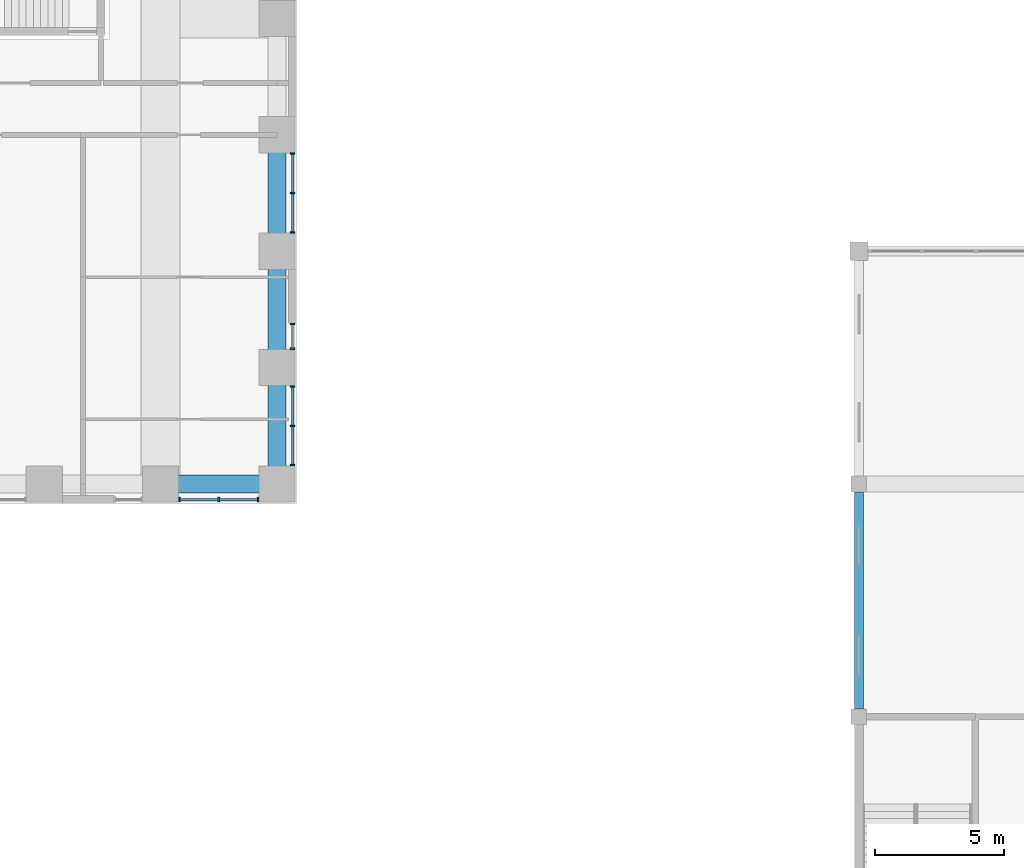
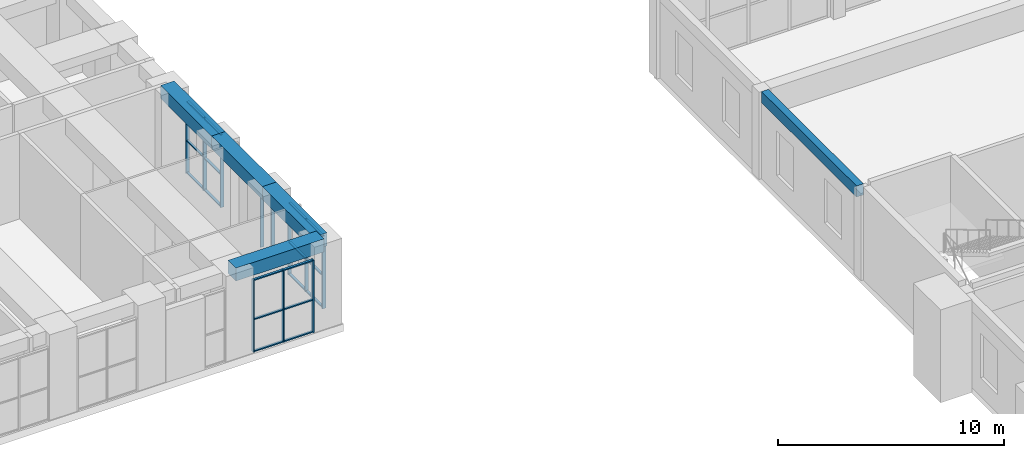
# One storey, part 8 of 34: 29 members, 5 beams, 4 elements without a shape of their own.
"""IFC4 building model written with IfcOpenShell, lengths in metres."""

from ifc_helpers import new_model, si_unit, direction, frame, origin, origin_2d, place, context, subcontext, project, spatial, rectangle, extrude, material, material_profile, profile_set, type_object, element, aggregate, save


model = new_model("IFC4")

# Units and contexts
model_context = context("Model", 3, precision=1e-05, world=origin(), true_north=direction((0.0, 1.0)))
body_context = subcontext(model_context, "Body", "Model", "MODEL_VIEW")
ifc_project = project(units=[si_unit("LENGTHUNIT", "METRE"), si_unit("AREAUNIT", "SQUARE_METRE"), si_unit("VOLUMEUNIT", "CUBIC_METRE"), si_unit("PLANEANGLEUNIT", "RADIAN"), si_unit("MASSUNIT", "GRAM", prefix="KILO")], contexts=[model_context])

# Site, building, storey
site_placement = place(None, origin())
site = spatial("IfcSite", under=ifc_project, at=site_placement, CompositionType="ELEMENT")
building_placement = place(site_placement, origin())
building = spatial("IfcBuilding", under=site, at=building_placement, Name="Firuza Court", CompositionType="ELEMENT")
storey_placement = place(building_placement, frame((0.0, 0.0, 14.0)))
storey = spatial("IfcBuildingStorey", under=building, at=storey_placement, Name="L02", CompositionType="ELEMENT", Elevation=14.0)

# Curtain wall, members
ifc_material_1 = material(Name="Aluminium curtain wall, triple clear glazing", Category="aluminium")
curtain_wall_type = type_object("IfcCurtainWallType", Name="Podium unitised curtain wall CW1", PredefinedType="NOTDEFINED", material=ifc_material_1)
curtain_wall_1_placement = place(storey_placement, origin())
curtain_wall_1 = element("IfcCurtainWall", 1, at=curtain_wall_1_placement, inside=storey, type_object=curtain_wall_type, Name="Podium unitised curtain wall CW1 L02", PredefinedType="NOTDEFINED")
ifc_material_2 = material(Name="Aluminium EN AW-6060 T66", Category="aluminium")
ifc_material_profile_1 = material_profile(ifc_material_2, rectangle(XDim=0.179931640625, YDim=0.06005859375, at=origin_2d()), Name="Mullion 180 x 60 CW1")
ifc_profile_set_1 = profile_set([ifc_material_profile_1], Name="Aluminium EN AW-6060 T66")
member_type_1 = type_object("IfcMemberType", Name="Mullion 180 x 60 CW1", PredefinedType="MULLION", material=ifc_profile_set_1)
member_1_placement = place(storey_placement, frame((63.72998046875, 35.39990234375, 0.0), z_axis=(0.0, 0.0, 1.0), x_axis=(0.0, 1.0, 0.0)))
member_1 = element("IfcMember", 2, at=member_1_placement, type_object=member_type_1, Name="CW1 mullion 1", PredefinedType="MULLION", context=body_context, shape_type="SweptSolid", body=[
    extrude(rectangle(XDim=0.179931640625, YDim=0.06005859375, at=origin_2d()), origin(), (0.0, 0.0, 1.0), 3.89990234375),
])
member_2_placement = place(storey_placement, frame((65.25, 35.39990234375, 0.0), z_axis=(0.0, 0.0, 1.0), x_axis=(0.0, 1.0, 0.0)))
member_2 = element("IfcMember", 3, at=member_2_placement, type_object=member_type_1, Name="CW1 mullion 2", PredefinedType="MULLION", context=body_context, shape_type="SweptSolid", body=[
    extrude(rectangle(XDim=0.179931640625, YDim=0.06005859375, at=origin_2d()), origin(), (0.0, 0.0, 1.0), 3.89990234375),
])
member_3_placement = place(storey_placement, frame((66.77001953125, 35.39990234375, 0.0), z_axis=(0.0, 0.0, 1.0), x_axis=(0.0, 1.0, 0.0)))
member_3 = element("IfcMember", 4, at=member_3_placement, type_object=member_type_1, Name="CW1 mullion 3", PredefinedType="MULLION", context=body_context, shape_type="SweptSolid", body=[
    extrude(rectangle(XDim=0.179931640625, YDim=0.06005859375, at=origin_2d()), origin(), (0.0, 0.0, 1.0), 3.89990234375),
])

curtain_wall_2_placement = place(storey_placement, origin())
curtain_wall_2 = element("IfcCurtainWall", 5, at=curtain_wall_2_placement, inside=storey, type_object=curtain_wall_type, Name="Podium unitised curtain wall CW1 L02", PredefinedType="NOTDEFINED")
member_4_placement = place(storey_placement, frame((68.10009765625, 36.72998046875, 0.0), z_axis=(0.0, 0.0, 1.0), x_axis=(-1.0, 0.0, 0.0)))
member_4 = element("IfcMember", 6, at=member_4_placement, type_object=member_type_1, Name="CW1 mullion 1", PredefinedType="MULLION", context=body_context, shape_type="SweptSolid", body=[
    extrude(rectangle(XDim=0.179931640625, YDim=0.06005859375, at=origin_2d()), origin(), (0.0, 0.0, 1.0), 3.89990234375),
])
member_5_placement = place(storey_placement, frame((68.10009765625, 38.25, 0.0), z_axis=(0.0, 0.0, 1.0), x_axis=(-1.0, 0.0, 0.0)))
member_5 = element("IfcMember", 7, at=member_5_placement, type_object=member_type_1, Name="CW1 mullion 2", PredefinedType="MULLION", context=body_context, shape_type="SweptSolid", body=[
    extrude(rectangle(XDim=0.179931640625, YDim=0.06005859375, at=origin_2d()), origin(), (0.0, 0.0, 1.0), 3.89990234375),
])
member_6_placement = place(storey_placement, frame((68.10009765625, 39.77001953125, 0.0), z_axis=(0.0, 0.0, 1.0), x_axis=(-1.0, 0.0, 0.0)))
member_6 = element("IfcMember", 8, at=member_6_placement, type_object=member_type_1, Name="CW1 mullion 3", PredefinedType="MULLION", context=body_context, shape_type="SweptSolid", body=[
    extrude(rectangle(XDim=0.179931640625, YDim=0.06005859375, at=origin_2d()), origin(), (0.0, 0.0, 1.0), 3.89990234375),
])

curtain_wall_3_placement = place(storey_placement, origin())
curtain_wall_3 = element("IfcCurtainWall", 9, at=curtain_wall_3_placement, inside=storey, type_object=curtain_wall_type, Name="Podium unitised curtain wall CW1 L02", PredefinedType="NOTDEFINED")
member_7_placement = place(storey_placement, frame((68.10009765625, 41.22998046875, 0.0), z_axis=(0.0, 0.0, 1.0), x_axis=(-1.0, 0.0, 0.0)))
member_7 = element("IfcMember", 10, at=member_7_placement, type_object=member_type_1, Name="CW1 mullion 1", PredefinedType="MULLION", context=body_context, shape_type="SweptSolid", body=[
    extrude(rectangle(XDim=0.179931640625, YDim=0.06005859375, at=origin_2d()), origin(), (0.0, 0.0, 1.0), 3.89990234375),
])
member_8_placement = place(storey_placement, frame((68.10009765625, 42.193603515625, 0.0), z_axis=(0.0, 0.0, 1.0), x_axis=(-1.0, 0.0, 0.0)))
member_8 = element("IfcMember", 11, at=member_8_placement, type_object=member_type_1, Name="CW1 mullion 2", PredefinedType="MULLION", context=body_context, shape_type="SweptSolid", body=[
    extrude(rectangle(XDim=0.179931640625, YDim=0.06005859375, at=origin_2d()), origin(), (0.0, 0.0, 1.0), 3.89990234375),
])
aggregate(curtain_wall_3, [member_7, member_8])

curtain_wall_4_placement = place(storey_placement, origin())
curtain_wall_4 = element("IfcCurtainWall", 12, at=curtain_wall_4_placement, inside=storey, type_object=curtain_wall_type, Name="Podium unitised curtain wall CW1 L02", PredefinedType="NOTDEFINED")
member_9_placement = place(storey_placement, frame((68.10009765625, 45.72998046875, 0.0), z_axis=(0.0, 0.0, 1.0), x_axis=(-1.0, 0.0, 0.0)))
member_9 = element("IfcMember", 13, at=member_9_placement, type_object=member_type_1, Name="CW1 mullion 1", PredefinedType="MULLION", context=body_context, shape_type="SweptSolid", body=[
    extrude(rectangle(XDim=0.179931640625, YDim=0.06005859375, at=origin_2d()), origin(), (0.0, 0.0, 1.0), 3.89990234375),
])
member_10_placement = place(storey_placement, frame((68.10009765625, 47.25, 0.0), z_axis=(0.0, 0.0, 1.0), x_axis=(-1.0, 0.0, 0.0)))
member_10 = element("IfcMember", 14, at=member_10_placement, type_object=member_type_1, Name="CW1 mullion 2", PredefinedType="MULLION", context=body_context, shape_type="SweptSolid", body=[
    extrude(rectangle(XDim=0.179931640625, YDim=0.06005859375, at=origin_2d()), origin(), (0.0, 0.0, 1.0), 3.89990234375),
])
member_11_placement = place(storey_placement, frame((68.10009765625, 48.77001953125, 0.0), z_axis=(0.0, 0.0, 1.0), x_axis=(-1.0, 0.0, 0.0)))
member_11 = element("IfcMember", 15, at=member_11_placement, type_object=member_type_1, Name="CW1 mullion 3", PredefinedType="MULLION", context=body_context, shape_type="SweptSolid", body=[
    extrude(rectangle(XDim=0.179931640625, YDim=0.06005859375, at=origin_2d()), origin(), (0.0, 0.0, 1.0), 3.89990234375),
])

# Beams
ifc_material_3 = material(Name="Concrete C40/50", Category="concrete")
ifc_material_profile_2 = material_profile(ifc_material_3, rectangle(XDim=0.35009765625, YDim=0.60009765625, at=origin_2d()), Name="RC 350X600")
ifc_profile_set_2 = profile_set([ifc_material_profile_2], Name="Concrete C40/50")
beam_type_1 = type_object("IfcBeamType", Name="RC RING BEAM 350X600", PredefinedType="BEAM", material=ifc_profile_set_2)
beam_placement = place(storey_placement, frame((90.0, 27.300048828125, 4.39990234375), z_axis=(0.0, 1.0, 0.0), x_axis=(-1.0, 0.0, 0.0)))
element("IfcBeam", 16, at=beam_placement, inside=storey, type_object=beam_type_1, Name="Edge beam W2.1 L02", PredefinedType="BEAM", context=body_context, shape_type="SweptSolid", body=[
    extrude(rectangle(XDim=0.35009765625, YDim=0.60009765625, at=origin_2d()), origin(), (0.0, 0.0, 1.0), 8.39990234375),
])
ifc_material_4 = material(Name="Concrete C40/50", Category="concrete")
ifc_material_profile_3 = material_profile(ifc_material_4, rectangle(XDim=0.699951171875, YDim=0.699951171875, at=origin_2d()), Name="RC 700x700")
ifc_profile_set_3 = profile_set([ifc_material_profile_3], Name="Concrete C40/50")
beam_type_2 = type_object("IfcBeamType", Name="Spandrel beam RC 700x700 C40/50", PredefinedType="BEAM", material=ifc_profile_set_3)
for number, where, z_axis, x_axis, name in (
    (17, (63.0, 36.0, 4.25), (1.0, 0.0, 0.0), (0.0, 1.0, 0.0), "Spandrel beam SP8 level L03"),
    (18, (67.5, 36.0, 4.25), (0.0, 1.0, 0.0), (-1.0, 0.0, 0.0), "Spandrel beam SP8 level L03"),
    (19, (67.5, 40.5, 4.25), (0.0, 1.0, 0.0), (-1.0, 0.0, 0.0), "Spandrel beam SP8 level L03"),
    (20, (67.5, 45.0, 4.25), (0.0, 1.0, 0.0), (-1.0, 0.0, 0.0), "Spandrel beam SP8 level L03"),
):
    element("IfcBeam", number, at=place(storey_placement, frame(where, z_axis=z_axis, x_axis=x_axis)), inside=storey, type_object=beam_type_2, Name=name, PredefinedType="BEAM", context=body_context, shape_type="SweptSolid", body=[
        extrude(rectangle(XDim=0.699951171875, YDim=0.699951171875, at=origin_2d()), origin(), (0.0, 0.0, 1.0), 4.5),
    ])

# Member
ifc_material_5 = material(Name="Aluminium EN AW-6060 T66", Category="aluminium")
ifc_material_profile_4 = material_profile(ifc_material_5, rectangle(XDim=0.1201171875, YDim=0.06005859375, at=origin_2d()), Name="Transom 120 x 60 CW1")
ifc_profile_set_4 = profile_set([ifc_material_profile_4], Name="Aluminium EN AW-6060 T66")
member_type_2 = type_object("IfcMemberType", Name="Transom 120 x 60 CW1", PredefinedType="USERDEFINED", material=ifc_profile_set_4)
member_12_placement = place(storey_placement, frame((63.760009765625, 35.39990234375, 0.030029296875), z_axis=(1.0, 0.0, 0.0), x_axis=(0.0, 1.0, 0.0)))
member_12 = element("IfcMember", 21, at=member_12_placement, type_object=member_type_2, Name="CW1 transom 1.1", ObjectType="TRANSOM", PredefinedType="USERDEFINED", context=body_context, shape_type="SweptSolid", body=[
    extrude(rectangle(XDim=0.1201171875, YDim=0.06005859375, at=origin_2d()), origin(), (0.0, 0.0, 1.0), 1.4599609375),
])

member_13_placement = place(storey_placement, frame((63.760009765625, 35.39990234375, 1.7548828125), z_axis=(1.0, 0.0, 0.0), x_axis=(0.0, 1.0, 0.0)))
member_13 = element("IfcMember", 22, at=member_13_placement, type_object=member_type_2, Name="CW1 transom 1.2", ObjectType="TRANSOM", PredefinedType="USERDEFINED", context=body_context, shape_type="SweptSolid", body=[
    extrude(rectangle(XDim=0.1201171875, YDim=0.06005859375, at=origin_2d()), origin(), (0.0, 0.0, 1.0), 1.4599609375),
])

member_14_placement = place(storey_placement, frame((63.760009765625, 35.39990234375, 3.8701171875), z_axis=(1.0, 0.0, 0.0), x_axis=(0.0, 1.0, 0.0)))
member_14 = element("IfcMember", 23, at=member_14_placement, type_object=member_type_2, Name="CW1 transom 1.3", ObjectType="TRANSOM", PredefinedType="USERDEFINED", context=body_context, shape_type="SweptSolid", body=[
    extrude(rectangle(XDim=0.1201171875, YDim=0.06005859375, at=origin_2d()), origin(), (0.0, 0.0, 1.0), 1.4599609375),
])

member_15_placement = place(storey_placement, frame((65.280029296875, 35.39990234375, 0.030029296875), z_axis=(1.0, 0.0, 0.0), x_axis=(0.0, 1.0, 0.0)))
member_15 = element("IfcMember", 24, at=member_15_placement, type_object=member_type_2, Name="CW1 transom 2.1", ObjectType="TRANSOM", PredefinedType="USERDEFINED", context=body_context, shape_type="SweptSolid", body=[
    extrude(rectangle(XDim=0.1201171875, YDim=0.06005859375, at=origin_2d()), origin(), (0.0, 0.0, 1.0), 1.4599609375),
])

member_16_placement = place(storey_placement, frame((65.280029296875, 35.39990234375, 1.7548828125), z_axis=(1.0, 0.0, 0.0), x_axis=(0.0, 1.0, 0.0)))
member_16 = element("IfcMember", 25, at=member_16_placement, type_object=member_type_2, Name="CW1 transom 2.2", ObjectType="TRANSOM", PredefinedType="USERDEFINED", context=body_context, shape_type="SweptSolid", body=[
    extrude(rectangle(XDim=0.1201171875, YDim=0.06005859375, at=origin_2d()), origin(), (0.0, 0.0, 1.0), 1.4599609375),
])

member_17_placement = place(storey_placement, frame((65.280029296875, 35.39990234375, 3.8701171875), z_axis=(1.0, 0.0, 0.0), x_axis=(0.0, 1.0, 0.0)))
member_17 = element("IfcMember", 26, at=member_17_placement, type_object=member_type_2, Name="CW1 transom 2.3", ObjectType="TRANSOM", PredefinedType="USERDEFINED", context=body_context, shape_type="SweptSolid", body=[
    extrude(rectangle(XDim=0.1201171875, YDim=0.06005859375, at=origin_2d()), origin(), (0.0, 0.0, 1.0), 1.4599609375),
])

aggregate(curtain_wall_1, [member_1, member_2, member_3, member_12, member_13, member_14, member_15, member_16, member_17])

member_18_placement = place(storey_placement, frame((68.10009765625, 36.760009765625, 0.030029296875), z_axis=(0.0, 1.0, 0.0), x_axis=(-1.0, 0.0, 0.0)))
member_18 = element("IfcMember", 27, at=member_18_placement, type_object=member_type_2, Name="CW1 transom 1.1", ObjectType="TRANSOM", PredefinedType="USERDEFINED", context=body_context, shape_type="SweptSolid", body=[
    extrude(rectangle(XDim=0.1201171875, YDim=0.06005859375, at=origin_2d()), origin(), (0.0, 0.0, 1.0), 1.4599609375),
])

member_19_placement = place(storey_placement, frame((68.10009765625, 36.760009765625, 1.7548828125), z_axis=(0.0, 1.0, 0.0), x_axis=(-1.0, 0.0, 0.0)))
member_19 = element("IfcMember", 28, at=member_19_placement, type_object=member_type_2, Name="CW1 transom 1.2", ObjectType="TRANSOM", PredefinedType="USERDEFINED", context=body_context, shape_type="SweptSolid", body=[
    extrude(rectangle(XDim=0.1201171875, YDim=0.06005859375, at=origin_2d()), origin(), (0.0, 0.0, 1.0), 1.4599609375),
])

member_20_placement = place(storey_placement, frame((68.10009765625, 36.760009765625, 3.8701171875), z_axis=(0.0, 1.0, 0.0), x_axis=(-1.0, 0.0, 0.0)))
member_20 = element("IfcMember", 29, at=member_20_placement, type_object=member_type_2, Name="CW1 transom 1.3", ObjectType="TRANSOM", PredefinedType="USERDEFINED", context=body_context, shape_type="SweptSolid", body=[
    extrude(rectangle(XDim=0.1201171875, YDim=0.06005859375, at=origin_2d()), origin(), (0.0, 0.0, 1.0), 1.4599609375),
])

member_21_placement = place(storey_placement, frame((68.10009765625, 38.280029296875, 0.030029296875), z_axis=(0.0, 1.0, 0.0), x_axis=(-1.0, 0.0, 0.0)))
member_21 = element("IfcMember", 30, at=member_21_placement, type_object=member_type_2, Name="CW1 transom 2.1", ObjectType="TRANSOM", PredefinedType="USERDEFINED", context=body_context, shape_type="SweptSolid", body=[
    extrude(rectangle(XDim=0.1201171875, YDim=0.06005859375, at=origin_2d()), origin(), (0.0, 0.0, 1.0), 1.4599609375),
])

member_22_placement = place(storey_placement, frame((68.10009765625, 38.280029296875, 1.7548828125), z_axis=(0.0, 1.0, 0.0), x_axis=(-1.0, 0.0, 0.0)))
member_22 = element("IfcMember", 31, at=member_22_placement, type_object=member_type_2, Name="CW1 transom 2.2", ObjectType="TRANSOM", PredefinedType="USERDEFINED", context=body_context, shape_type="SweptSolid", body=[
    extrude(rectangle(XDim=0.1201171875, YDim=0.06005859375, at=origin_2d()), origin(), (0.0, 0.0, 1.0), 1.4599609375),
])

member_23_placement = place(storey_placement, frame((68.10009765625, 38.280029296875, 3.8701171875), z_axis=(0.0, 1.0, 0.0), x_axis=(-1.0, 0.0, 0.0)))
member_23 = element("IfcMember", 32, at=member_23_placement, type_object=member_type_2, Name="CW1 transom 2.3", ObjectType="TRANSOM", PredefinedType="USERDEFINED", context=body_context, shape_type="SweptSolid", body=[
    extrude(rectangle(XDim=0.1201171875, YDim=0.06005859375, at=origin_2d()), origin(), (0.0, 0.0, 1.0), 1.4599609375),
])

aggregate(curtain_wall_2, [member_4, member_5, member_6, member_18, member_19, member_20, member_21, member_22, member_23])

member_24_placement = place(storey_placement, frame((68.10009765625, 45.760009765625, 0.030029296875), z_axis=(0.0, 1.0, 0.0), x_axis=(-1.0, 0.0, 0.0)))
member_24 = element("IfcMember", 33, at=member_24_placement, type_object=member_type_2, Name="CW1 transom 1.1", ObjectType="TRANSOM", PredefinedType="USERDEFINED", context=body_context, shape_type="SweptSolid", body=[
    extrude(rectangle(XDim=0.1201171875, YDim=0.06005859375, at=origin_2d()), origin(), (0.0, 0.0, 1.0), 1.4599609375),
])

member_25_placement = place(storey_placement, frame((68.10009765625, 45.760009765625, 1.7548828125), z_axis=(0.0, 1.0, 0.0), x_axis=(-1.0, 0.0, 0.0)))
member_25 = element("IfcMember", 34, at=member_25_placement, type_object=member_type_2, Name="CW1 transom 1.2", ObjectType="TRANSOM", PredefinedType="USERDEFINED", context=body_context, shape_type="SweptSolid", body=[
    extrude(rectangle(XDim=0.1201171875, YDim=0.06005859375, at=origin_2d()), origin(), (0.0, 0.0, 1.0), 1.4599609375),
])

member_26_placement = place(storey_placement, frame((68.10009765625, 45.760009765625, 3.8701171875), z_axis=(0.0, 1.0, 0.0), x_axis=(-1.0, 0.0, 0.0)))
member_26 = element("IfcMember", 35, at=member_26_placement, type_object=member_type_2, Name="CW1 transom 1.3", ObjectType="TRANSOM", PredefinedType="USERDEFINED", context=body_context, shape_type="SweptSolid", body=[
    extrude(rectangle(XDim=0.1201171875, YDim=0.06005859375, at=origin_2d()), origin(), (0.0, 0.0, 1.0), 1.4599609375),
])

member_27_placement = place(storey_placement, frame((68.10009765625, 47.280029296875, 0.030029296875), z_axis=(0.0, 1.0, 0.0), x_axis=(-1.0, 0.0, 0.0)))
member_27 = element("IfcMember", 36, at=member_27_placement, type_object=member_type_2, Name="CW1 transom 2.1", ObjectType="TRANSOM", PredefinedType="USERDEFINED", context=body_context, shape_type="SweptSolid", body=[
    extrude(rectangle(XDim=0.1201171875, YDim=0.06005859375, at=origin_2d()), origin(), (0.0, 0.0, 1.0), 1.4599609375),
])

member_28_placement = place(storey_placement, frame((68.10009765625, 47.280029296875, 1.7548828125), z_axis=(0.0, 1.0, 0.0), x_axis=(-1.0, 0.0, 0.0)))
member_28 = element("IfcMember", 37, at=member_28_placement, type_object=member_type_2, Name="CW1 transom 2.2", ObjectType="TRANSOM", PredefinedType="USERDEFINED", context=body_context, shape_type="SweptSolid", body=[
    extrude(rectangle(XDim=0.1201171875, YDim=0.06005859375, at=origin_2d()), origin(), (0.0, 0.0, 1.0), 1.4599609375),
])

member_29_placement = place(storey_placement, frame((68.10009765625, 47.280029296875, 3.8701171875), z_axis=(0.0, 1.0, 0.0), x_axis=(-1.0, 0.0, 0.0)))
member_29 = element("IfcMember", 38, at=member_29_placement, type_object=member_type_2, Name="CW1 transom 2.3", ObjectType="TRANSOM", PredefinedType="USERDEFINED", context=body_context, shape_type="SweptSolid", body=[
    extrude(rectangle(XDim=0.1201171875, YDim=0.06005859375, at=origin_2d()), origin(), (0.0, 0.0, 1.0), 1.4599609375),
])

aggregate(curtain_wall_4, [member_9, member_10, member_11, member_24, member_25, member_26, member_27, member_28, member_29])

save(model, "model.ifc")
